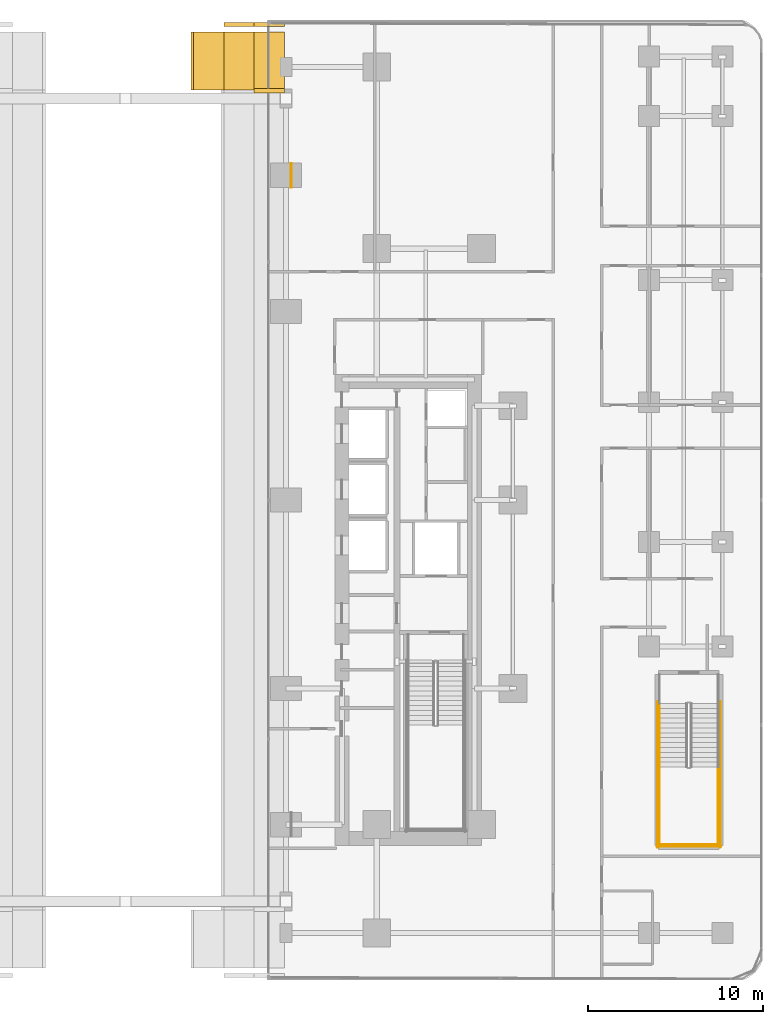
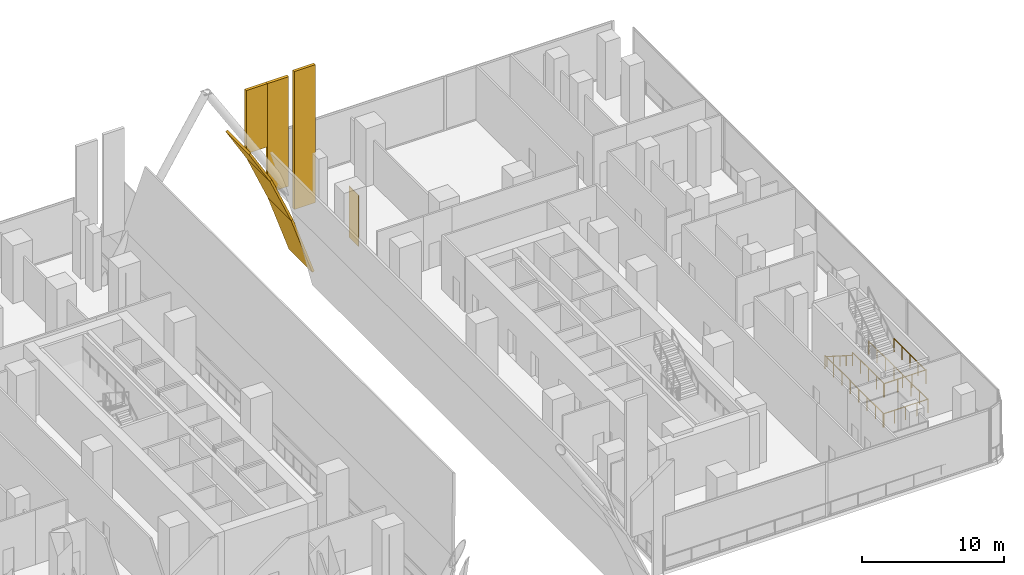
# One storey, part 30 of 31: 7 coverings, 7 railings.
"""IFC4 building model written with IfcOpenShell, lengths in metres."""

from ifc_helpers import new_model, si_unit, direction, frame, origin, origin_2d, place, context, subcontext, project, spatial, polyline, rectangle, circle, outline, extrude, material, layer, layer_set, type_object, element, save


model = new_model("IFC4")

# Units and contexts
model_context = context("Model", 3, precision=1e-05, world=origin(), true_north=direction((0.0, 1.0)))
body_context = subcontext(model_context, "Body", "Model", "MODEL_VIEW")
ifc_project = project(units=[si_unit("LENGTHUNIT", "METRE"), si_unit("AREAUNIT", "SQUARE_METRE"), si_unit("VOLUMEUNIT", "CUBIC_METRE"), si_unit("PLANEANGLEUNIT", "RADIAN"), si_unit("MASSUNIT", "GRAM", prefix="KILO")], contexts=[model_context])

# Site, building, storey
site_placement = place(None, origin())
site = spatial("IfcSite", under=ifc_project, at=site_placement, CompositionType="ELEMENT")
building_placement = place(site_placement, origin())
building = spatial("IfcBuilding", under=site, at=building_placement, Name="Khairoan Windgate Tower", CompositionType="ELEMENT")
storey_placement = place(building_placement, frame((0.0, 0.0, 6.0)))
storey = spatial("IfcBuildingStorey", under=building, at=storey_placement, Name="L02", CompositionType="ELEMENT", Elevation=6.0)

# Coverings
ifc_material_1 = material(Name="Anodised Bronze Aluminium 6063-T6", Category="aluminium")
ifc_layer_1 = layer(ifc_material_1, 0.0400390625, Name="Anodised Bronze Aluminium 6063-T6")
ifc_layer_set_1 = layer_set([ifc_layer_1], Name="Anodised Bronze Aluminium 6063-T6")
covering_type_1 = type_object("IfcCoveringType", Name="Anodised Bronze Arch Pier Cladding", PredefinedType="CLADDING", material=ifc_layer_set_1)
covering_1_placement = place(storey_placement, frame((9.5, 18.60009765625, 0.0), z_axis=(0.0, 0.0, 1.0), x_axis=(1.0, 0.0, 0.0)))
element("IfcCovering", 1, at=covering_1_placement, inside=storey, type_object=covering_type_1, Name="L02 Arch Pier Bronze Cladding 04", PredefinedType="CLADDING", context=body_context, shape_type="SweptSolid", body=[
    extrude(rectangle(XDim=0.0400390625, YDim=1.39990234375, at=origin_2d()), origin(), (0.0, 0.0, 1.0), 4.39990234375),
])
ifc_material_2 = material(Name="Anodised Bronze Aluminium 6063-T6", Category="aluminium")
ifc_layer_2 = layer(ifc_material_2, 0.179931640625, Name="Anodised Bronze Aluminium 6063-T6")
ifc_layer_set_2 = layer_set([ifc_layer_2], Name="Anodised Bronze Aluminium 6063-T6")
covering_type_2 = type_object("IfcCoveringType", Name="Sculpted Parabolic Arch and Crown Cladding", PredefinedType="CLADDING", material=ifc_layer_set_2)
covering_2_placement = place(storey_placement, frame((3.909912109375, 23.5, 6.633056640625), z_axis=(0.861580423573, 0.0, 0.507621092662), x_axis=(0.507621092662, 0.0, -0.861580423573)))
element("IfcCovering", 2, at=covering_2_placement, inside=storey, type_object=covering_type_2, Name="Podium Parabolic Arch Mouth Vault N-08", PredefinedType="CLADDING", context=body_context, shape_type="SweptSolid", body=[
    extrude(outline(polyline([(0.0, 0.0), (3.408015336161681, 0.0), (3.408015336161681, 3.300048828125), (0.0, 3.300048828125), (0.0, 0.0)])), origin(), (0.0, 0.0, -1.0), 0.179931640625),
])
covering_3_placement = place(storey_placement, frame((5.639892578125, 23.5, 3.69677734375), z_axis=(0.917815663081, 0.0, 0.397006811783), x_axis=(0.397006811783, 0.0, -0.917815663081)))
element("IfcCovering", 3, at=covering_3_placement, inside=storey, type_object=covering_type_2, Name="Podium Parabolic Arch Mouth Vault N-09", PredefinedType="CLADDING", context=body_context, shape_type="SweptSolid", body=[
    extrude(outline(polyline([(0.0, 0.0), (4.358173608162813, 0.0), (4.358173608162813, 3.300048828125), (0.0, 3.300048828125), (0.0, 0.0)])), origin(), (0.0, 0.0, -1.0), 0.179931640625),
])
covering_4_placement = place(storey_placement, frame((6.5048828125, 27.25, 3.74658203125), z_axis=(0.0, 0.0, 1.0), x_axis=(1.0, 0.0, 0.0)))
element("IfcCovering", 4, at=covering_4_placement, inside=storey, type_object=covering_type_2, Name="Podium Parabolic Arch Tympanum Cladding N-09", PredefinedType="CLADDING", context=body_context, shape_type="SweptSolid", body=[
    extrude(rectangle(XDim=1.72998046875, YDim=0.239990234375, at=origin_2d()), origin(), (0.0, 0.0, 1.0), 5.452880859375),
])
covering_5_placement = place(storey_placement, frame((7.3701171875, 23.5, -0.30322265625), z_axis=(0.946302886692, 0.0, 0.323281373788), x_axis=(0.323281373788, 0.0, -0.946302886692)))
element("IfcCovering", 5, at=covering_5_placement, inside=storey, type_object=covering_type_2, Name="Podium Parabolic Arch Mouth Vault N-10", PredefinedType="CLADDING", context=body_context, shape_type="SweptSolid", body=[
    extrude(outline(polyline([(0.0, 0.0), (5.351315012311687, 0.0), (5.351315012311687, 3.3000488281249996), (0.0, 3.3000488281249996), (0.0, 0.0)])), origin(), (0.0, 0.0, -1.0), 0.179931640625),
])
covering_6_placement = place(storey_placement, frame((8.235107421875, 23.449951171875, 0.64990234375), z_axis=(0.0, 0.0, 1.0), x_axis=(1.0, 0.0, 0.0)))
element("IfcCovering", 6, at=covering_6_placement, inside=storey, type_object=covering_type_2, Name="Upper Parabolic Arch Tympanum Cladding N-10", PredefinedType="CLADDING", context=body_context, shape_type="SweptSolid", body=[
    extrude(rectangle(XDim=1.72998046875, YDim=0.239990234375, at=origin_2d()), origin(), (0.0, 0.0, 1.0), 11.889892578125),
])
covering_7_placement = place(storey_placement, frame((8.235107421875, 27.25, -0.25341796875), z_axis=(0.0, 0.0, 1.0), x_axis=(1.0, 0.0, 0.0)))
element("IfcCovering", 7, at=covering_7_placement, inside=storey, type_object=covering_type_2, Name="Podium Parabolic Arch Tympanum Cladding N-10", PredefinedType="CLADDING", context=body_context, shape_type="SweptSolid", body=[
    extrude(rectangle(XDim=1.72998046875, YDim=0.239990234375, at=origin_2d()), origin(), (0.0, 0.0, 1.0), 9.452880859375),
])

# Railings
ifc_material_3 = material(Name="Anodised Bronze Aluminium 6063-T6", Category="aluminium")
railing_type_1 = type_object("IfcRailingType", Name="Stair Wall Handrail SHR-900", PredefinedType="HANDRAIL", material=ifc_material_3)
railing_1_placement = place(storey_placement, frame((30.60009765625, -11.659912109375, 0.178466796875)))
element("IfcRailing", 8, at=railing_1_placement, inside=storey, type_object=railing_type_1, Name="L02 ST3 stair handrail 1", PredefinedType="HANDRAIL", context=body_context, shape_type="SweptSolid", body=[
    extrude(circle(Radius=0.02392578125, at=origin_2d()), frame((0.0, 0.0, 0.8759765625), z_axis=(0.0, -0.843127859045, 0.537713132908), x_axis=(1.0, 0.0, 0.0)), (0.0, 0.0, 1.0), 4.3173828125),
    extrude(circle(Radius=0.02099609375, at=origin_2d()), origin(), (0.0, 0.0, 1.0), 0.851806640625),
    extrude(circle(Radius=0.02099609375, at=origin_2d()), frame((0.0, -0.91015625, 0.580322265625)), (0.0, 0.0, 1.0), 0.851806640625),
    extrude(circle(Radius=0.02099609375, at=origin_2d()), frame((0.0, -1.820068359375, 1.16064453125)), (0.0, 0.0, 1.0), 0.851806640625),
    extrude(circle(Radius=0.02099609375, at=origin_2d()), frame((0.0, -2.72998046875, 1.7412109375)), (0.0, 0.0, 1.0), 0.851806640625),
    extrude(circle(Radius=0.02099609375, at=origin_2d()), frame((0.0, -3.64013671875, 2.321533203125)), (0.0, 0.0, 1.0), 0.851806640625),
])
ifc_material_4 = material(Name="Steel S355", Category="steel")
railing_type_2 = type_object("IfcRailingType", Name="Stairwell Safety Guardrail SGR-1150", PredefinedType="GUARDRAIL", material=ifc_material_4)
for number, where, name in (
    (9, (30.60009765625, -15.300048828125, 2.5), "L02 ST3 stair guard 3"),
    (10, (33.969970703125, -15.300048828125, 2.5), "L02 ST3 stair guard 4"),
):
    element("IfcRailing", number, at=place(storey_placement, frame(where)), inside=storey, type_object=railing_type_2, Name=name, PredefinedType="GUARDRAIL", context=body_context, shape_type="SweptSolid", body=[
        extrude(circle(Radius=0.02392578125, at=origin_2d()), frame((0.0, 0.0, 1.1259765625), z_axis=(0.0, -1.0, 0.0), x_axis=(1.0, 0.0, 0.0)), (0.0, 0.0, 1.0), 4.5),
        extrude(circle(Radius=0.02099609375, at=origin_2d()), origin(), (0.0, 0.0, 1.0), 1.101806640625),
        extrude(circle(Radius=0.02099609375, at=origin_2d()), frame((0.0, -1.125, 0.0)), (0.0, 0.0, 1.0), 1.101806640625),
        extrude(circle(Radius=0.02099609375, at=origin_2d()), frame((0.0, -2.25, 0.0)), (0.0, 0.0, 1.0), 1.101806640625),
        extrude(circle(Radius=0.02099609375, at=origin_2d()), frame((0.0, -3.375, 0.0)), (0.0, 0.0, 1.0), 1.101806640625),
        extrude(circle(Radius=0.02099609375, at=origin_2d()), frame((0.0, -4.5, 0.0)), (0.0, 0.0, 1.0), 1.101806640625),
    ])
railing_2_placement = place(storey_placement, frame((30.550048828125, -19.75, 2.5)))
element("IfcRailing", 11, at=railing_2_placement, inside=storey, type_object=railing_type_2, Name="L02 ST3 stair guard 5", PredefinedType="GUARDRAIL", context=body_context, shape_type="SweptSolid", body=[
    extrude(circle(Radius=0.02392578125, at=origin_2d()), frame((0.0, 0.0, 1.1259765625), z_axis=(1.0, 0.0, 0.0), x_axis=(0.0, 1.0, 0.0)), (0.0, 0.0, 1.0), 3.469970703125),
    extrude(circle(Radius=0.02099609375, at=origin_2d()), origin(), (0.0, 0.0, 1.0), 1.101806640625),
    extrude(circle(Radius=0.02099609375, at=origin_2d()), frame((1.15673828125, 0.0, 0.0)), (0.0, 0.0, 1.0), 1.101806640625),
    extrude(circle(Radius=0.02099609375, at=origin_2d()), frame((2.313232421875, 0.0, 0.0)), (0.0, 0.0, 1.0), 1.101806640625),
    extrude(circle(Radius=0.02099609375, at=origin_2d()), frame((3.469970703125, 0.0, 0.0)), (0.0, 0.0, 1.0), 1.101806640625),
])
for number, where, name in (
    (12, (30.5, -11.56005859375, 0.0), "L02 ST3 stair guard 10"),
    (13, (34.070068359375, -11.56005859375, 0.0), "L02 ST3 stair guard 11"),
):
    element("IfcRailing", number, at=place(storey_placement, frame(where)), inside=storey, type_object=railing_type_2, Name=name, PredefinedType="GUARDRAIL", context=body_context, shape_type="SweptSolid", body=[
        extrude(circle(Radius=0.02392578125, at=origin_2d()), frame((0.0, 0.0, 1.1259765625), z_axis=(0.0, -1.0, 0.0), x_axis=(1.0, 0.0, 0.0)), (0.0, 0.0, 1.0), 8.33984375),
        extrude(circle(Radius=0.02099609375, at=origin_2d()), origin(), (0.0, 0.0, 1.0), 1.101806640625),
        extrude(circle(Radius=0.02099609375, at=origin_2d()), frame((0.0, -1.19140625, 0.0)), (0.0, 0.0, 1.0), 1.101806640625),
        extrude(circle(Radius=0.02099609375, at=origin_2d()), frame((0.0, -2.3828125, 0.0)), (0.0, 0.0, 1.0), 1.101806640625),
        extrude(circle(Radius=0.02099609375, at=origin_2d()), frame((0.0, -3.57421875, 0.0)), (0.0, 0.0, 1.0), 1.101806640625),
        extrude(circle(Radius=0.02099609375, at=origin_2d()), frame((0.0, -4.765625, 0.0)), (0.0, 0.0, 1.0), 1.101806640625),
        extrude(circle(Radius=0.02099609375, at=origin_2d()), frame((0.0, -5.95703125, 0.0)), (0.0, 0.0, 1.0), 1.101806640625),
        extrude(circle(Radius=0.02099609375, at=origin_2d()), frame((0.0, -7.1484375, 0.0)), (0.0, 0.0, 1.0), 1.101806640625),
        extrude(circle(Radius=0.02099609375, at=origin_2d()), frame((0.0, -8.33984375, 0.0)), (0.0, 0.0, 1.0), 1.101806640625),
    ])
railing_3_placement = place(storey_placement, frame((30.449951171875, -19.85009765625, 0.0)))
element("IfcRailing", 14, at=railing_3_placement, inside=storey, type_object=railing_type_2, Name="L02 ST3 stair guard 12", PredefinedType="GUARDRAIL", context=body_context, shape_type="SweptSolid", body=[
    extrude(circle(Radius=0.02392578125, at=origin_2d()), frame((0.0, 0.0, 1.1259765625), z_axis=(1.0, 0.0, 0.0), x_axis=(0.0, 1.0, 0.0)), (0.0, 0.0, 1.0), 3.670166015625),
    extrude(circle(Radius=0.02099609375, at=origin_2d()), origin(), (0.0, 0.0, 1.0), 1.101806640625),
    extrude(circle(Radius=0.02099609375, at=origin_2d()), frame((0.91748046875, 0.0, 0.0)), (0.0, 0.0, 1.0), 1.101806640625),
    extrude(circle(Radius=0.02099609375, at=origin_2d()), frame((1.8349609375, 0.0, 0.0)), (0.0, 0.0, 1.0), 1.101806640625),
    extrude(circle(Radius=0.02099609375, at=origin_2d()), frame((2.752685546875, 0.0, 0.0)), (0.0, 0.0, 1.0), 1.101806640625),
    extrude(circle(Radius=0.02099609375, at=origin_2d()), frame((3.670166015625, 0.0, 0.0)), (0.0, 0.0, 1.0), 1.101806640625),
])

save(model, "model.ifc")
